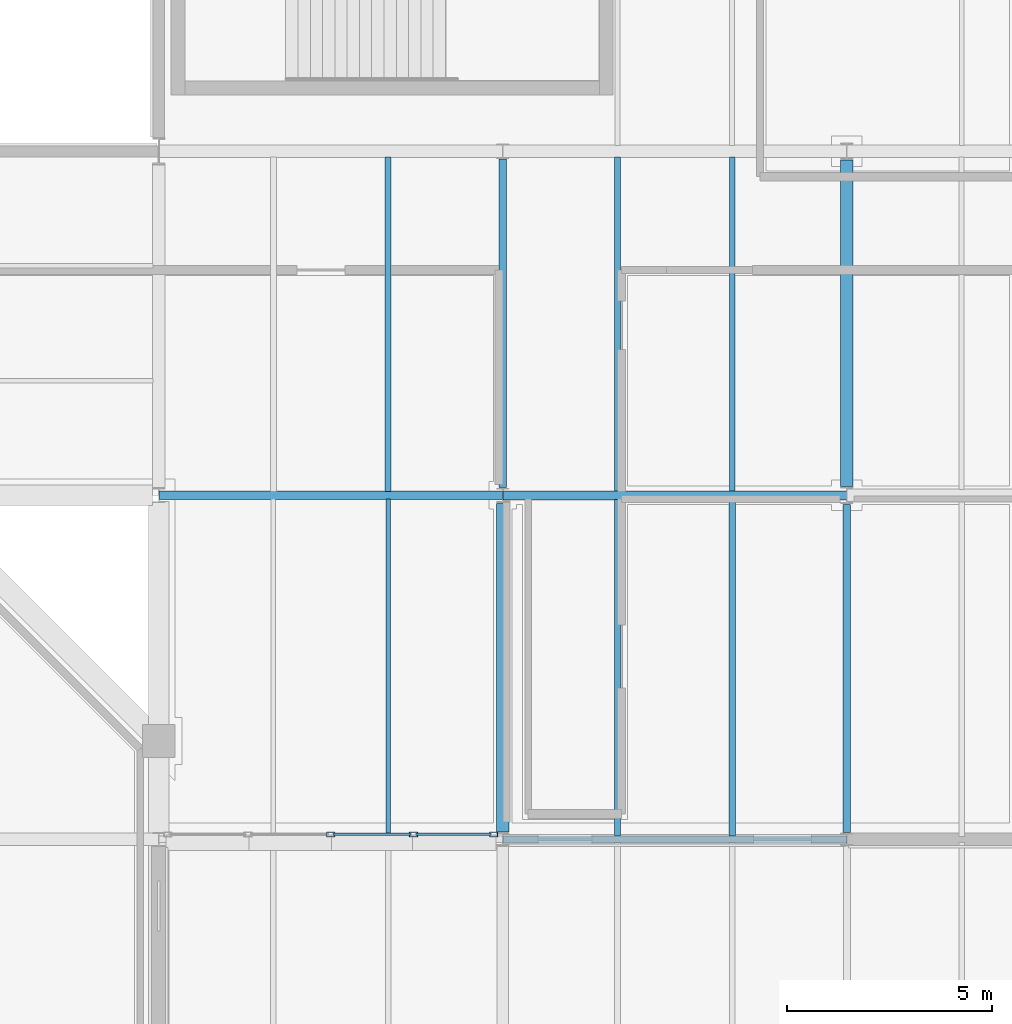
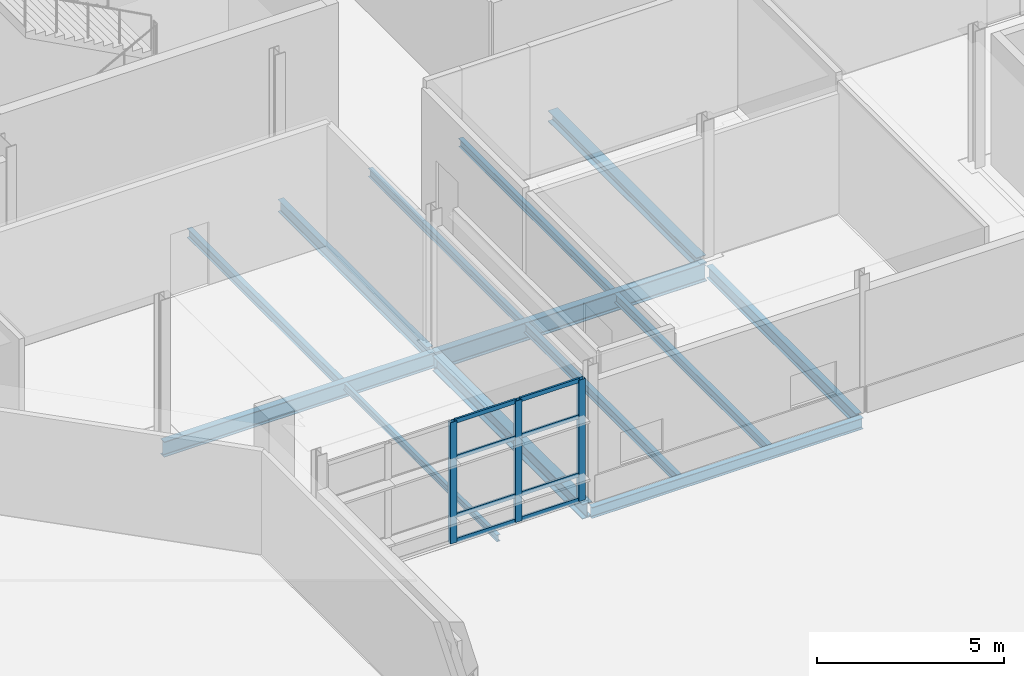
# One storey, part 27 of 129: 13 beams, 11 members, 1 element without a shape of its own.
"""IFC4 building model written with IfcOpenShell, lengths in metres."""

import ifcopenshell
import ifcopenshell.guid

model = None  # the IFC model being written
_history = None  # IfcOwnerHistory: only IFC2X3 demands one
_inside = {}  # id of a spatial element -> (the spatial element, [elements in it])
_under = {}  # id of a project, library or spatial element -> (it, [spatial elements below it])
_declared = {}  # id of a project -> (the project, [libraries it declares])
_typed = {}  # id of a type object -> (the type object, [elements of that type])
_made_of = {}  # id of a material, layer set ... -> (it, [elements and type objects made of it])


def new_model(schema):
    """Start an empty IFC model of exactly this schema.

    Asked for "IFC4X3", IfcOpenShell would pick the latest addendum, in which some entities
    have other attributes; the version numbers below select the first issue.
    IFC2X3 requires an IfcOwnerHistory on every rooted entity: one is made here for all.
    """
    global model, _history
    if schema == "IFC4X3":
        model = ifcopenshell.file(schema_version=(4, 3, 0, 0))
    else:
        model = ifcopenshell.file(schema=schema)
    _inside.clear()
    _under.clear()
    _declared.clear()
    _typed.clear()
    _made_of.clear()
    _history = None
    if model.schema == "IFC2X3":
        org = make("IfcOrganization", Name="unknown")
        user = make(
            "IfcPersonAndOrganization",
            ThePerson=make("IfcPerson", FamilyName="unknown"),
            TheOrganization=org,
        )
        app = make(
            "IfcApplication",
            ApplicationDeveloper=org,
            Version="unknown",
            ApplicationFullName="unknown",
            ApplicationIdentifier="unknown",
        )
        _history = make(
            "IfcOwnerHistory",
            OwningUser=user,
            OwningApplication=app,
            ChangeAction="ADDED",
            CreationDate=0,
        )
    return model


def make(cls, **values):
    """One entity of the class cls with the attributes given. An attribute that is None is left unset."""
    return model.create_entity(
        cls, **{name: value for name, value in values.items() if value is not None}
    )


def rooted(cls, **values):
    """An entity with a GlobalId (a new one), such as an element, a storey or a relation."""
    return make(cls, GlobalId=ifcopenshell.guid.new(), OwnerHistory=_history, **values)


def si_unit(unit_type, name, prefix=None):
    """IfcSIUnit, for example si_unit("LENGTHUNIT", "METRE", prefix="MILLI")."""
    return make("IfcSIUnit", UnitType=unit_type, Prefix=prefix, Name=name)


def assignment(units):
    """IfcUnitAssignment: the units of a project."""
    return None if units is None else make("IfcUnitAssignment", Units=units)


def point(xyz):
    """IfcCartesianPoint."""
    return None if xyz is None else make("IfcCartesianPoint", Coordinates=xyz)


def direction(xyz):
    """IfcDirection."""
    return None if xyz is None else make("IfcDirection", DirectionRatios=xyz)


def frame(location, z_axis=None, x_axis=None):
    """IfcAxis2Placement3D, a coordinate frame: its origin and axes. An axis left out is left unset."""
    return make(
        "IfcAxis2Placement3D",
        Location=point(location),
        Axis=direction(z_axis),
        RefDirection=direction(x_axis),
    )


def frame_2d(location, x_axis=None):
    """IfcAxis2Placement2D, a coordinate frame in the plane: its origin and x axis."""
    return make(
        "IfcAxis2Placement2D", Location=point(location), RefDirection=direction(x_axis)
    )


def origin():
    """The frame at (0, 0, 0) with its axes left unset."""
    return frame((0.0, 0.0, 0.0))


def origin_2d():
    """The frame at (0, 0) in the plane with its x axis left unset."""
    return frame_2d((0.0, 0.0))


def place(relative_to, where):
    """IfcLocalPlacement: puts the frame where relative to a parent placement (None: the world)."""
    return make(
        "IfcLocalPlacement", PlacementRelTo=relative_to, RelativePlacement=where
    )


def context(
    kind, dimensions, precision=None, world=None, true_north=None, identifier=None
):
    """IfcGeometricRepresentationContext, for example the 3D "Model" context."""
    return make(
        "IfcGeometricRepresentationContext",
        ContextIdentifier=identifier,
        ContextType=kind,
        CoordinateSpaceDimension=dimensions,
        Precision=precision,
        WorldCoordinateSystem=world,
        TrueNorth=true_north,
    )


def subcontext(parent, identifier, kind, view, scale=None):
    """IfcGeometricRepresentationSubContext, for example "Body" below "Model"."""
    return make(
        "IfcGeometricRepresentationSubContext",
        ContextIdentifier=identifier,
        ContextType=kind,
        ParentContext=parent,
        TargetScale=scale,
        TargetView=view,
    )


def project(units=None, contexts=None):
    """IfcProject with its units and contexts."""
    return rooted(
        "IfcProject",
        Name="project",
        RepresentationContexts=contexts,
        UnitsInContext=assignment(units),
    )


def spatial(cls, under=None, at=None, **own):
    """A site, building, storey or space (cls), placed at a placement, below another one or the project."""
    s = rooted(cls, ObjectPlacement=at, **own)
    if under is not None:
        _under.setdefault(under.id(), (under, []))[1].append(s)
    return s


def profile(cls, at=None, kind="AREA", **sizes):
    """A parametric profile (cls). Its sizes go by their IFC names, for example OverallWidth=200.0."""
    return make(cls, ProfileType=kind, Position=at, **sizes)


def hollow_rectangle(**sizes):
    """IfcRectangleHollowProfileDef."""
    return profile("IfcRectangleHollowProfileDef", **sizes)


def i_section(**sizes):
    """IfcIShapeProfileDef."""
    return profile("IfcIShapeProfileDef", **sizes)


def extrude(swept, where, along, depth):
    """IfcExtrudedAreaSolid: the profile swept, set in the frame where, extruded along a direction by depth."""
    return make(
        "IfcExtrudedAreaSolid",
        SweptArea=swept,
        Position=where,
        ExtrudedDirection=direction(along),
        Depth=depth,
    )


def shape(context_of_items, identifier, shape_type, items):
    """IfcShapeRepresentation: the items that make up one representation, for example the "Body"."""
    return make(
        "IfcShapeRepresentation",
        ContextOfItems=context_of_items,
        RepresentationIdentifier=identifier,
        RepresentationType=shape_type,
        Items=items,
    )


def material(Name=None, Category=None):
    """IfcMaterial."""
    return make("IfcMaterial", Name=Name, Category=Category)


def material_profile(
    of_material, cross_section, Name=None, Category=None, Priority=None
):
    """IfcMaterialProfile: a cross section and its material."""
    return make(
        "IfcMaterialProfile",
        Name=Name,
        Material=of_material,
        Profile=cross_section,
        Priority=Priority,
        Category=Category,
    )


def profile_set(profiles, Name=None, composite=None):
    """IfcMaterialProfileSet."""
    return make(
        "IfcMaterialProfileSet",
        Name=Name,
        MaterialProfiles=profiles,
        CompositeProfile=composite,
    )


def made_of(thing, what):
    """Note that an element or type object is made of a material, layer set ...; save() writes the relation."""
    if what is not None:
        _made_of.setdefault(what.id(), (what, []))[1].append(thing)
    return thing


def type_object(cls, material=None, **own):
    """A type object (cls), such as IfcWallType, which elements share."""
    return made_of(rooted(cls, **own), material)


def element(
    cls,
    number,
    at=None,
    inside=None,
    cuts=None,
    type_object=None,
    material=None,
    context=None,
    identifier="Body",
    shape_type=None,
    held_by="IfcProductDefinitionShape",
    body=None,
    shapes=None,
    **own,
):
    """One element of the class cls, such as IfcWall. Its Tag is "e" and its number.

    at: its placement. inside: the storey or other place that contains it. cuts: it is an
    opening in that element (IfcRelVoidsElement). A single representation is given by context,
    identifier, shape_type and body (its items); several are given by shapes. held_by: the class
    of the entity that holds the representations. save() writes the other relations.
    """
    e = rooted(cls, Tag="e%d" % number, ObjectPlacement=at, **own)
    if body is not None:
        shapes = [shape(context, identifier, shape_type, body)]
    if shapes is not None:
        e.Representation = make(held_by, Representations=shapes)
    if inside is not None:
        _inside.setdefault(inside.id(), (inside, []))[1].append(e)
    if cuts is not None:
        rooted(
            "IfcRelVoidsElement", RelatingBuildingElement=cuts, RelatedOpeningElement=e
        )
    if type_object is not None:
        _typed.setdefault(type_object.id(), (type_object, []))[1].append(e)
    return made_of(e, material)


def aggregate(whole, parts):
    """IfcRelAggregates: a whole, such as a stair, and the parts it consists of."""
    return rooted("IfcRelAggregates", RelatingObject=whole, RelatedObjects=parts)


def save(model, path):
    """Write the relations noted so far, then the file.

    IfcRelAggregates (storeys below a building ...), IfcRelContainedInSpatialStructure (elements
    in a storey), IfcRelDefinesByType, IfcRelAssociatesMaterial and IfcRelDeclares: one each for
    every whole, place, type object, material and project.
    """
    for whole, parts in _under.values():
        aggregate(whole, parts)
    for where, things in _inside.values():
        rooted(
            "IfcRelContainedInSpatialStructure",
            RelatedElements=things,
            RelatingStructure=where,
        )
    for kind, things in _typed.values():
        rooted("IfcRelDefinesByType", RelatedObjects=things, RelatingType=kind)
    for what, things in _made_of.values():
        rooted("IfcRelAssociatesMaterial", RelatedObjects=things, RelatingMaterial=what)
    for by, libraries in _declared.values():
        rooted("IfcRelDeclares", RelatingContext=by, RelatedDefinitions=libraries)
    model.write(path)


model = new_model("IFC4")

# Units and contexts
model_context = context("Model", 3, precision=1e-05, world=origin(), true_north=direction((0.0, 1.0)))
body_context = subcontext(model_context, "Body", "Model", "MODEL_VIEW")
ifc_project = project(units=[si_unit("LENGTHUNIT", "METRE"), si_unit("AREAUNIT", "SQUARE_METRE"), si_unit("VOLUMEUNIT", "CUBIC_METRE"), si_unit("PLANEANGLEUNIT", "RADIAN"), si_unit("MASSUNIT", "GRAM", prefix="KILO")], contexts=[model_context])

# Site, building, storey
site_placement = place(None, origin())
site = spatial("IfcSite", under=ifc_project, at=site_placement, CompositionType="ELEMENT")
building_placement = place(site_placement, origin())
building = spatial("IfcBuilding", under=site, at=building_placement, Name="Mersafa Astral City Hall", CompositionType="ELEMENT")
storey_placement = place(building_placement, frame((0.0, 0.0, 5.39990234375)))
storey = spatial("IfcBuildingStorey", under=building, at=storey_placement, Name="L01", CompositionType="ELEMENT", Elevation=5.39990234375)

# Curtain wall, members
ifc_material_1 = material(Name="Anodised bronze aluminium framing", Category="aluminium")
curtain_wall_type = type_object("IfcCurtainWallType", Name="ENV-CW-4", PredefinedType="USERDEFINED", material=ifc_material_1)
curtain_wall_placement = place(storey_placement, origin())
curtain_wall = element("IfcCurtainWall", 1, at=curtain_wall_placement, inside=storey, type_object=curtain_wall_type, Name="L01 Unitised solar curtain wall 45", ObjectType="UNITISED CURTAIN WALL", PredefinedType="USERDEFINED")
ifc_material_profile_1 = material_profile(ifc_material_1, hollow_rectangle(XDim=0.1201171875, YDim=0.199951171875, WallThickness=0.008056640625, at=origin_2d()), Name="RHS 120x200x8")
ifc_profile_set_1 = profile_set([ifc_material_profile_1], Name="Anodised bronze aluminium framing")
member_type_1 = type_object("IfcMemberType", Name="ENV-CW-MUL-2", PredefinedType="MULLION", material=ifc_profile_set_1)
member_1_placement = place(storey_placement, frame((96.60009765625, 16.919921875, -0.001953125), z_axis=(0.0, 0.0, 1.0), x_axis=(0.0, 1.0, 0.0)))
member_1 = element("IfcMember", 2, at=member_1_placement, type_object=member_type_1, Name="CW-4 mullion 3", PredefinedType="MULLION", context=body_context, shape_type="SweptSolid", body=[
    extrude(hollow_rectangle(XDim=0.1201171875, YDim=0.199951171875, WallThickness=0.008056640625, at=origin_2d()), origin(), (0.0, 0.0, 1.0), 3.968994140625),
])
member_2_placement = place(storey_placement, frame((98.618896484375, 16.919921875, -0.001953125), z_axis=(0.0, 0.0, 1.0), x_axis=(0.0, 1.0, 0.0)))
member_2 = element("IfcMember", 3, at=member_2_placement, type_object=member_type_1, Name="CW-4 mullion 4", PredefinedType="MULLION", context=body_context, shape_type="SweptSolid", body=[
    extrude(hollow_rectangle(XDim=0.1201171875, YDim=0.199951171875, WallThickness=0.008056640625, at=origin_2d()), origin(), (0.0, 0.0, 1.0), 3.968994140625),
])
member_3_placement = place(storey_placement, frame((100.577880859375, 16.919921875, -0.001953125), z_axis=(0.0, 0.0, 1.0), x_axis=(0.0, 1.0, 0.0)))
member_3 = element("IfcMember", 4, at=member_3_placement, type_object=member_type_1, Name="CW-4 mullion 5", PredefinedType="MULLION", context=body_context, shape_type="SweptSolid", body=[
    extrude(hollow_rectangle(XDim=0.1201171875, YDim=0.199951171875, WallThickness=0.008056640625, at=origin_2d()), origin(), (0.0, 0.0, 1.0), 3.968994140625),
])
ifc_material_profile_2 = material_profile(ifc_material_1, hollow_rectangle(XDim=0.06005859375, YDim=0.139892578125, WallThickness=0.00390625, at=origin_2d()), Name="RHS 60x140x4")
ifc_profile_set_2 = profile_set([ifc_material_profile_2], Name="Anodised bronze aluminium framing")
member_type_2 = type_object("IfcMemberType", Name="ENV-CW-TRN-1", PredefinedType="USERDEFINED", material=ifc_profile_set_2)
member_4_placement = place(storey_placement, frame((96.659912109375, 16.919921875, 0.028076171875), z_axis=(1.0, 0.0, 0.0), x_axis=(0.0, 1.0, 0.0)))
member_4 = element("IfcMember", 5, at=member_4_placement, type_object=member_type_2, Name="CW-4 transom 3.1", ObjectType="TRANSOM", PredefinedType="USERDEFINED", context=body_context, shape_type="SweptSolid", body=[
    extrude(hollow_rectangle(XDim=0.06005859375, YDim=0.139892578125, WallThickness=0.00390625, at=origin_2d()), origin(), (0.0, 0.0, 1.0), 1.899169921875),
])
member_5_placement = place(storey_placement, frame((96.659912109375, 16.919921875, 0.85009765625), z_axis=(1.0, 0.0, 0.0), x_axis=(0.0, 1.0, 0.0)))
member_5 = element("IfcMember", 6, at=member_5_placement, type_object=member_type_2, Name="CW-4 transom 3.2", ObjectType="TRANSOM", PredefinedType="USERDEFINED", context=body_context, shape_type="SweptSolid", body=[
    extrude(hollow_rectangle(XDim=0.06005859375, YDim=0.139892578125, WallThickness=0.00390625, at=origin_2d()), origin(), (0.0, 0.0, 1.0), 1.899169921875),
])
member_6_placement = place(storey_placement, frame((96.659912109375, 16.919921875, 2.75), z_axis=(1.0, 0.0, 0.0), x_axis=(0.0, 1.0, 0.0)))
member_6 = element("IfcMember", 7, at=member_6_placement, type_object=member_type_2, Name="CW-4 transom 3.3", ObjectType="TRANSOM", PredefinedType="USERDEFINED", context=body_context, shape_type="SweptSolid", body=[
    extrude(hollow_rectangle(XDim=0.06005859375, YDim=0.139892578125, WallThickness=0.00390625, at=origin_2d()), origin(), (0.0, 0.0, 1.0), 1.899169921875),
])
member_7_placement = place(storey_placement, frame((96.659912109375, 16.919921875, 3.93701171875), z_axis=(1.0, 0.0, 0.0), x_axis=(0.0, 1.0, 0.0)))
member_7 = element("IfcMember", 8, at=member_7_placement, type_object=member_type_2, Name="CW-4 transom 3.4", ObjectType="TRANSOM", PredefinedType="USERDEFINED", context=body_context, shape_type="SweptSolid", body=[
    extrude(hollow_rectangle(XDim=0.06005859375, YDim=0.139892578125, WallThickness=0.00390625, at=origin_2d()), origin(), (0.0, 0.0, 1.0), 1.899169921875),
])
member_8_placement = place(storey_placement, frame((98.678955078125, 16.919921875, 0.028076171875), z_axis=(1.0, 0.0, 0.0), x_axis=(0.0, 1.0, 0.0)))
member_8 = element("IfcMember", 9, at=member_8_placement, type_object=member_type_2, Name="CW-4 transom 4.1", ObjectType="TRANSOM", PredefinedType="USERDEFINED", context=body_context, shape_type="SweptSolid", body=[
    extrude(hollow_rectangle(XDim=0.06005859375, YDim=0.139892578125, WallThickness=0.00390625, at=origin_2d()), origin(), (0.0, 0.0, 1.0), 1.839111328125),
])
member_9_placement = place(storey_placement, frame((98.678955078125, 16.919921875, 0.85009765625), z_axis=(1.0, 0.0, 0.0), x_axis=(0.0, 1.0, 0.0)))
member_9 = element("IfcMember", 10, at=member_9_placement, type_object=member_type_2, Name="CW-4 transom 4.2", ObjectType="TRANSOM", PredefinedType="USERDEFINED", context=body_context, shape_type="SweptSolid", body=[
    extrude(hollow_rectangle(XDim=0.06005859375, YDim=0.139892578125, WallThickness=0.00390625, at=origin_2d()), origin(), (0.0, 0.0, 1.0), 1.839111328125),
])
member_10_placement = place(storey_placement, frame((98.678955078125, 16.919921875, 2.75), z_axis=(1.0, 0.0, 0.0), x_axis=(0.0, 1.0, 0.0)))
member_10 = element("IfcMember", 11, at=member_10_placement, type_object=member_type_2, Name="CW-4 transom 4.3", ObjectType="TRANSOM", PredefinedType="USERDEFINED", context=body_context, shape_type="SweptSolid", body=[
    extrude(hollow_rectangle(XDim=0.06005859375, YDim=0.139892578125, WallThickness=0.00390625, at=origin_2d()), origin(), (0.0, 0.0, 1.0), 1.839111328125),
])
member_11_placement = place(storey_placement, frame((98.678955078125, 16.919921875, 3.93701171875), z_axis=(1.0, 0.0, 0.0), x_axis=(0.0, 1.0, 0.0)))
member_11 = element("IfcMember", 12, at=member_11_placement, type_object=member_type_2, Name="CW-4 transom 4.4", ObjectType="TRANSOM", PredefinedType="USERDEFINED", context=body_context, shape_type="SweptSolid", body=[
    extrude(hollow_rectangle(XDim=0.06005859375, YDim=0.139892578125, WallThickness=0.00390625, at=origin_2d()), origin(), (0.0, 0.0, 1.0), 1.839111328125),
])
aggregate(curtain_wall, [member_1, member_2, member_3, member_4, member_5, member_6, member_7, member_8, member_9, member_10, member_11])

# Beams
ifc_material_2 = material(Name="Steel S355", Category="steel")
ifc_material_profile_3 = material_profile(ifc_material_2, i_section(OverallWidth=0.300048828125, OverallDepth=0.35009765625, WebThickness=0.010009765625, FlangeThickness=0.017578125, FilletRadius=0.027099609375, at=origin_2d()), Name="HEA 360")
ifc_profile_set_3 = profile_set([ifc_material_profile_3], Name="Steel S355")
beam_type_1 = type_object("IfcBeamType", Name="STR-BM-HEA360", PredefinedType="BEAM", material=ifc_profile_set_3)
beam_1_placement = place(storey_placement, frame((109.199951171875, 25.419921875, -0.39990234375), z_axis=(0.0, 1.0, 0.0), x_axis=(-1.0, 0.0, 0.0)))
element("IfcBeam", 13, at=beam_1_placement, inside=storey, type_object=beam_type_1, Name="L01 Primary girder Y 13-3", PredefinedType="BEAM", context=body_context, shape_type="SweptSolid", body=[
    extrude(i_section(OverallWidth=0.300048828125, OverallDepth=0.35009765625, WebThickness=0.010009765625, FlangeThickness=0.017578125, FilletRadius=0.027099609375, at=origin_2d()), origin(), (0.0, 0.0, 1.0), 7.9599609375),
])
ifc_material_profile_4 = material_profile(ifc_material_2, i_section(OverallWidth=0.300048828125, OverallDepth=0.489990234375, WebThickness=0.011962890625, FlangeThickness=0.02294921875, FilletRadius=0.027099609375, at=origin_2d()), Name="HEA 500")
ifc_profile_set_4 = profile_set([ifc_material_profile_4], Name="Steel S355")
beam_type_2 = type_object("IfcBeamType", Name="STR-BM-HEA500", PredefinedType="BEAM", material=ifc_profile_set_4)
beam_2_placement = place(storey_placement, frame((100.800048828125, 16.97509765625, -0.469970703125), z_axis=(0.0, 1.0, 0.0), x_axis=(-1.0, 0.0, 0.0)))
element("IfcBeam", 14, at=beam_2_placement, inside=storey, type_object=beam_type_2, Name="L01 Primary girder Y 12-2", PredefinedType="BEAM", context=body_context, shape_type="SweptSolid", body=[
    extrude(i_section(OverallWidth=0.300048828125, OverallDepth=0.489990234375, WebThickness=0.011962890625, FlangeThickness=0.02294921875, FilletRadius=0.027099609375, at=origin_2d()), origin(), (0.0, 0.0, 1.0), 8.02978515625),
])
ifc_material_profile_5 = material_profile(ifc_material_2, i_section(OverallWidth=0.179931640625, OverallDepth=0.39990234375, WebThickness=0.008544921875, FlangeThickness=0.013427734375, FilletRadius=0.02099609375, at=origin_2d()), Name="IPE 400")
ifc_profile_set_5 = profile_set([ifc_material_profile_5], Name="Steel S355")
beam_type_3 = type_object("IfcBeamType", Name="STR-BM-IPE400", PredefinedType="BEAM", material=ifc_profile_set_5)
beam_3_placement = place(storey_placement, frame((100.800048828125, 25.39501953125, -0.4248046875), z_axis=(0.0, 1.0, 0.0), x_axis=(-1.0, 0.0, 0.0)))
element("IfcBeam", 15, at=beam_3_placement, inside=storey, type_object=beam_type_3, Name="L01 Primary girder Y 12-3", PredefinedType="BEAM", context=body_context, shape_type="SweptSolid", body=[
    extrude(i_section(OverallWidth=0.179931640625, OverallDepth=0.39990234375, WebThickness=0.008544921875, FlangeThickness=0.013427734375, FilletRadius=0.02099609375, at=origin_2d()), origin(), (0.0, 0.0, 1.0), 8.010009765625),
])
beam_4_placement = place(storey_placement, frame((109.199951171875, 16.965087890625, -0.4248046875), z_axis=(0.0, 1.0, 0.0), x_axis=(-1.0, 0.0, 0.0)))
element("IfcBeam", 16, at=beam_4_placement, inside=storey, type_object=beam_type_3, Name="L01 Primary girder Y 13-2", PredefinedType="BEAM", context=body_context, shape_type="SweptSolid", body=[
    extrude(i_section(OverallWidth=0.179931640625, OverallDepth=0.39990234375, WebThickness=0.008544921875, FlangeThickness=0.013427734375, FilletRadius=0.02099609375, at=origin_2d()), origin(), (0.0, 0.0, 1.0), 8.014892578125),
])
ifc_material_profile_6 = material_profile(ifc_material_2, i_section(OverallWidth=0.199951171875, OverallDepth=0.5, WebThickness=0.01025390625, FlangeThickness=0.01611328125, FilletRadius=0.02099609375, at=origin_2d()), Name="IPE 500")
ifc_profile_set_6 = profile_set([ifc_material_profile_6], Name="Steel S355")
beam_type_4 = type_object("IfcBeamType", Name="STR-BM-IPE500", PredefinedType="BEAM", material=ifc_profile_set_6)
beam_5_placement = place(storey_placement, frame((92.403076171875, 25.199951171875, -0.474853515625), z_axis=(1.0, 0.0, 0.0), x_axis=(0.0, 1.0, 0.0)))
element("IfcBeam", 17, at=beam_5_placement, inside=storey, type_object=beam_type_4, Name="L01 Primary girder X 11-3", PredefinedType="BEAM", context=body_context, shape_type="SweptSolid", body=[
    extrude(i_section(OverallWidth=0.199951171875, OverallDepth=0.5, WebThickness=0.01025390625, FlangeThickness=0.01611328125, FilletRadius=0.02099609375, at=origin_2d()), origin(), (0.0, 0.0, 1.0), 8.39404296875),
])
ifc_material_profile_7 = material_profile(ifc_material_2, i_section(OverallWidth=0.219970703125, OverallDepth=0.60009765625, WebThickness=0.011962890625, FlangeThickness=0.01904296875, FilletRadius=0.02392578125, at=origin_2d()), Name="IPE 600")
ifc_profile_set_7 = profile_set([ifc_material_profile_7], Name="Steel S355")
beam_type_5 = type_object("IfcBeamType", Name="STR-BM-IPE600", PredefinedType="BEAM", material=ifc_profile_set_7)
beam_6_placement = place(storey_placement, frame((100.802978515625, 25.199951171875, -0.52490234375), z_axis=(1.0, 0.0, 0.0), x_axis=(0.0, 1.0, 0.0)))
element("IfcBeam", 18, at=beam_6_placement, inside=storey, type_object=beam_type_5, Name="L01 Primary girder X 12-3", PredefinedType="BEAM", context=body_context, shape_type="SweptSolid", body=[
    extrude(i_section(OverallWidth=0.219970703125, OverallDepth=0.60009765625, WebThickness=0.011962890625, FlangeThickness=0.01904296875, FilletRadius=0.02392578125, at=origin_2d()), origin(), (0.0, 0.0, 1.0), 8.39404296875),
])
ifc_material_profile_8 = material_profile(ifc_material_2, i_section(OverallWidth=0.110107421875, OverallDepth=0.219970703125, WebThickness=0.005859375, FlangeThickness=0.00927734375, FilletRadius=0.011962890625, at=origin_2d()), Name="IPE 220")
ifc_profile_set_8 = profile_set([ifc_material_profile_8], Name="Steel S355")
beam_type_6 = type_object("IfcBeamType", Name="STR-BM-JOIST-IPE220", PredefinedType="JOIST", material=ifc_profile_set_8)
beam_7_placement = place(storey_placement, frame((98.0, 16.875, -0.3349609375), z_axis=(0.0, 1.0, 0.0), x_axis=(-1.0, 0.0, 0.0)))
element("IfcBeam", 19, at=beam_7_placement, inside=storey, type_object=beam_type_6, Name="L01 Composite secondary floor joist 269", PredefinedType="JOIST", context=body_context, shape_type="SweptSolid", body=[
    extrude(i_section(OverallWidth=0.110107421875, OverallDepth=0.219970703125, WebThickness=0.005859375, FlangeThickness=0.00927734375, FilletRadius=0.011962890625, at=origin_2d()), origin(), (0.0, 0.0, 1.0), 8.22998046875),
])
ifc_material_profile_9 = material_profile(ifc_material_2, i_section(OverallWidth=0.135009765625, OverallDepth=0.27001953125, WebThickness=0.006591796875, FlangeThickness=0.01025390625, FilletRadius=0.014892578125, at=origin_2d()), Name="IPE 270")
ifc_profile_set_9 = profile_set([ifc_material_profile_9], Name="Steel S355")
beam_type_7 = type_object("IfcBeamType", Name="STR-BM-JOIST-IPE270", PredefinedType="JOIST", material=ifc_profile_set_9)
for number, where, z_axis, x_axis, name in (
    (20, (103.60009765625, 25.304931640625, -0.35986328125), (0.0, 1.0, 0.0), (-1.0, 0.0, 0.0), "L01 Composite secondary floor joist 288"),
    (21, (106.39990234375, 25.304931640625, -0.35986328125), (0.0, 1.0, 0.0), (-1.0, 0.0, 0.0), "L01 Composite secondary floor joist 289"),
):
    element("IfcBeam", number, at=place(storey_placement, frame(where, z_axis=z_axis, x_axis=x_axis)), inside=storey, type_object=beam_type_7, Name=name, PredefinedType="JOIST", context=body_context, shape_type="SweptSolid", body=[
        extrude(i_section(OverallWidth=0.135009765625, OverallDepth=0.27001953125, WebThickness=0.006591796875, FlangeThickness=0.01025390625, FilletRadius=0.014892578125, at=origin_2d()), origin(), (0.0, 0.0, 1.0), 8.150146484375),
    ])
ifc_material_profile_10 = material_profile(ifc_material_2, i_section(OverallWidth=0.14990234375, OverallDepth=0.300048828125, WebThickness=0.007080078125, FlangeThickness=0.0107421875, FilletRadius=0.014892578125, at=origin_2d()), Name="IPE 300")
ifc_profile_set_10 = profile_set([ifc_material_profile_10], Name="Steel S355")
beam_type_8 = type_object("IfcBeamType", Name="STR-BM-JOIST-IPE300", PredefinedType="JOIST", material=ifc_profile_set_10)
beam_8_placement = place(storey_placement, frame((98.0, 25.294921875, -0.375), z_axis=(0.0, 1.0, 0.0), x_axis=(-1.0, 0.0, 0.0)))
element("IfcBeam", 22, at=beam_8_placement, inside=storey, type_object=beam_type_8, Name="L01 Composite secondary floor joist 271", PredefinedType="JOIST", context=body_context, shape_type="SweptSolid", body=[
    extrude(i_section(OverallWidth=0.14990234375, OverallDepth=0.300048828125, WebThickness=0.007080078125, FlangeThickness=0.0107421875, FilletRadius=0.014892578125, at=origin_2d()), origin(), (0.0, 0.0, 1.0), 8.16015625),
])
for number, where, z_axis, x_axis, name in (
    (23, (103.60009765625, 16.8798828125, -0.375), (0.0, 1.0, 0.0), (-1.0, 0.0, 0.0), "L01 Composite secondary floor joist 286"),
    (24, (106.39990234375, 16.8798828125, -0.375), (0.0, 1.0, 0.0), (-1.0, 0.0, 0.0), "L01 Composite secondary floor joist 287"),
):
    element("IfcBeam", number, at=place(storey_placement, frame(where, z_axis=z_axis, x_axis=x_axis)), inside=storey, type_object=beam_type_8, Name=name, PredefinedType="JOIST", context=body_context, shape_type="SweptSolid", body=[
        extrude(i_section(OverallWidth=0.14990234375, OverallDepth=0.300048828125, WebThickness=0.007080078125, FlangeThickness=0.0107421875, FilletRadius=0.014892578125, at=origin_2d()), origin(), (0.0, 0.0, 1.0), 8.215087890625),
    ])
ifc_material_profile_11 = material_profile(ifc_material_2, i_section(OverallWidth=0.169921875, OverallDepth=0.360107421875, WebThickness=0.008056640625, FlangeThickness=0.0126953125, FilletRadius=0.01806640625, at=origin_2d()), Name="IPE 360")
ifc_profile_set_11 = profile_set([ifc_material_profile_11], Name="Steel S355")
beam_type_9 = type_object("IfcBeamType", Name="STR-BM-SPANDREL-IPE360", PredefinedType="SPANDREL", material=ifc_profile_set_11)
beam_9_placement = place(storey_placement, frame((100.802978515625, 16.800048828125, -0.40478515625), z_axis=(1.0, 0.0, 0.0), x_axis=(0.0, 1.0, 0.0)))
element("IfcBeam", 25, at=beam_9_placement, inside=storey, type_object=beam_type_9, Name="L01 Primary girder X 12-2", PredefinedType="SPANDREL", context=body_context, shape_type="SweptSolid", body=[
    extrude(i_section(OverallWidth=0.169921875, OverallDepth=0.360107421875, WebThickness=0.008056640625, FlangeThickness=0.0126953125, FilletRadius=0.01806640625, at=origin_2d()), origin(), (0.0, 0.0, 1.0), 8.39404296875),
])

save(model, "model.ifc")
